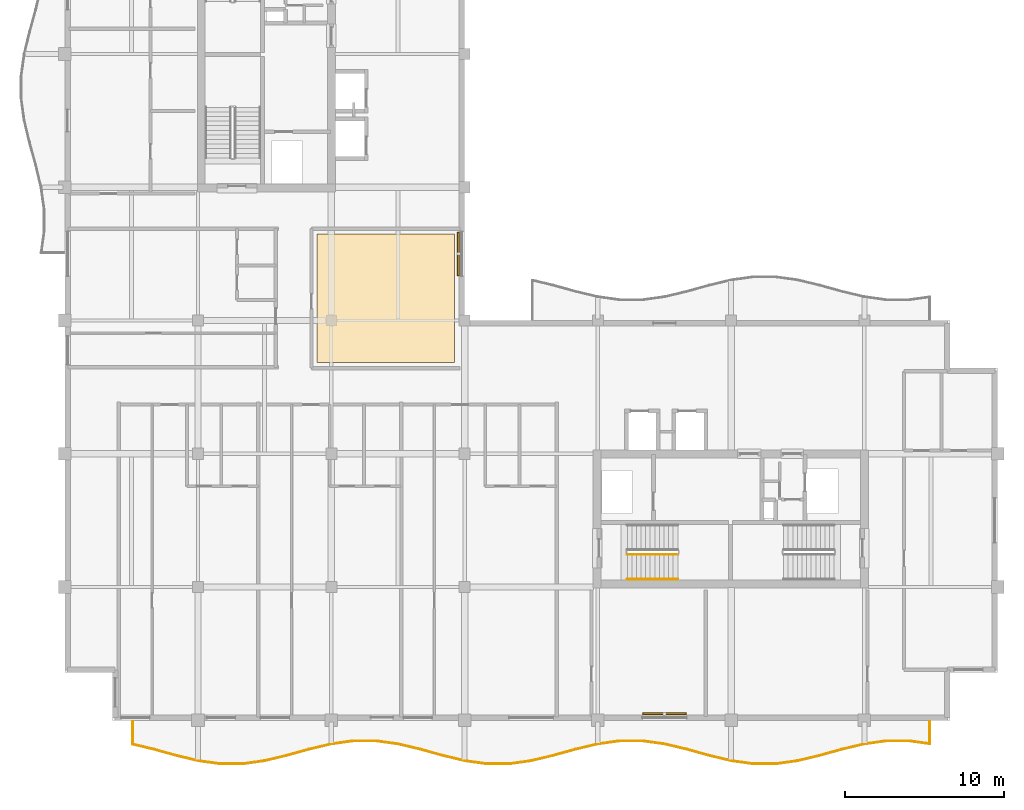
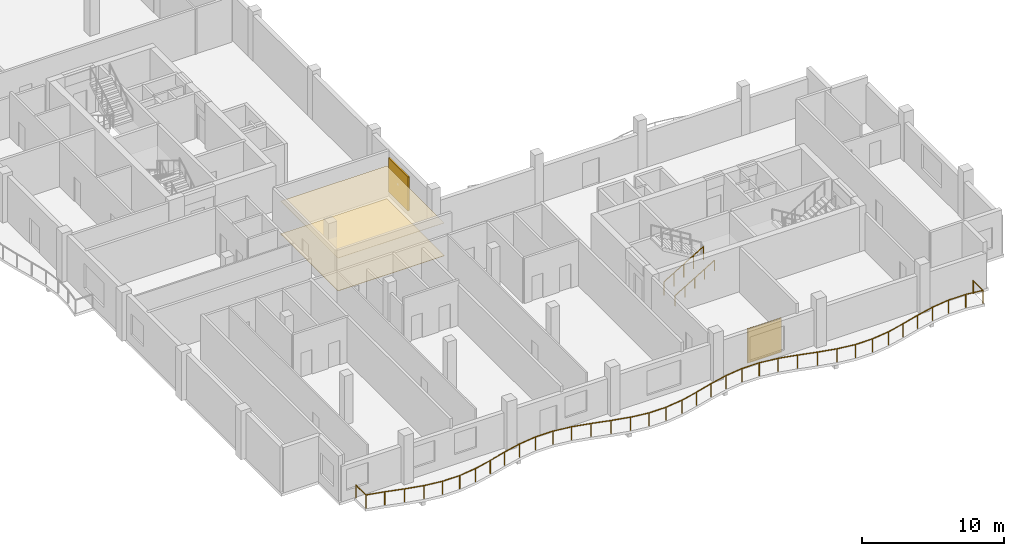
# One storey, part 9 of 11: 3 railings, 2 coverings, 2 shading devices.
"""IFC4 building model written with IfcOpenShell, lengths in metres."""

from ifc_helpers import new_model, si_unit, direction, frame, origin, origin_2d, place, context, subcontext, project, spatial, polyline, rectangle, circle, outline, extrude, material, layer, layer_set, type_object, element, save


model = new_model("IFC4")

# Units and contexts
model_context = context("Model", 3, precision=1e-05, world=origin(), true_north=direction((0.0, 1.0)))
body_context = subcontext(model_context, "Body", "Model", "MODEL_VIEW")
ifc_project = project(units=[si_unit("LENGTHUNIT", "METRE"), si_unit("AREAUNIT", "SQUARE_METRE"), si_unit("VOLUMEUNIT", "CUBIC_METRE"), si_unit("PLANEANGLEUNIT", "RADIAN"), si_unit("MASSUNIT", "GRAM", prefix="KILO")], contexts=[model_context])

# Site, building, storey
site_placement = place(None, origin())
site = spatial("IfcSite", under=ifc_project, at=site_placement, CompositionType="ELEMENT")
building_placement = place(site_placement, origin())
building = spatial("IfcBuilding", under=site, at=building_placement, Name="Koriwani Terraces Tower", CompositionType="ELEMENT")
storey_placement = place(building_placement, frame((0.0, 0.0, 359.60009765625)))
storey = spatial("IfcBuildingStorey", under=building, at=storey_placement, Name="L89", CompositionType="ELEMENT", Elevation=359.60009765625)

# Coverings
ifc_material_1 = material(Name="Fire-Rated Acoustic Gypsum Partition", Category="masonry")
ifc_layer_1 = layer(ifc_material_1, 0.02490234375, Name="Fire-Rated Acoustic Gypsum Partition")
ifc_layer_set_1 = layer_set([ifc_layer_1], Name="Fire-Rated Acoustic Gypsum Partition")
covering_type_1 = type_object("IfcCoveringType", Name="CEILING_ACOUSTIC_GYPSUM", PredefinedType="CEILING", material=ifc_layer_set_1)
covering_1_placement = place(storey_placement, frame((0.0, 0.0, 2.824951171875)))
element("IfcCovering", 1, at=covering_1_placement, inside=storey, type_object=covering_type_1, Name="L89 Suspended Acoustic Gypsum Ceiling", PredefinedType="CEILING", context=body_context, shape_type="SweptSolid", body=[
    extrude(outline(polyline([(24.300048828125, 30.949951171875), (24.300048828125, 39.050048828125), (32.949951171875, 39.050048828125), (32.949951171875, 30.949951171875), (24.300048828125, 30.949951171875)])), origin(), (0.0, 0.0, 1.0), 0.02490234375),
])
ifc_material_2 = material(Name="Polished Andean Slate Flooring", Category="masonry")
ifc_layer_2 = layer(ifc_material_2, 0.030029296875, Name="Polished Andean Slate Flooring")
ifc_layer_set_2 = layer_set([ifc_layer_2], Name="Polished Andean Slate Flooring")
covering_type_2 = type_object("IfcCoveringType", Name="FLOORING_ANDEAN_STONE", PredefinedType="FLOORING", material=ifc_layer_set_2)
covering_2_placement = place(storey_placement, origin())
element("IfcCovering", 2, at=covering_2_placement, inside=storey, type_object=covering_type_2, Name="L89 Polished Andean Slate Floor Finish", PredefinedType="FLOORING", context=body_context, shape_type="SweptSolid", body=[
    extrude(outline(polyline([(24.300048828125, 30.949951171875), (24.300048828125, 39.050048828125), (32.949951171875, 39.050048828125), (32.949951171875, 30.949951171875), (24.300048828125, 30.949951171875)])), origin(), (0.0, 0.0, 1.0), 0.02978515625),
])

# Railings
ifc_material_3 = material(Name="Steel ASTM A572 Grade 50", Category="steel")
railing_type_1 = type_object("IfcRailingType", Name="GUARD_BALUSTRADE_1150", PredefinedType="BALUSTRADE", material=ifc_material_3)
railing_1_placement = place(storey_placement, frame((12.679931640625, 8.320068359375, 0.0)))
element("IfcRailing", 3, at=railing_1_placement, inside=storey, type_object=railing_type_1, Name="L89 Balcony Perimeter Safety Balustrade (S)", PredefinedType="BALUSTRADE", context=body_context, shape_type="SweptSolid", body=[
    extrude(circle(Radius=0.02392578125, at=origin_2d()), frame((0.0, 0.0, 1.1259765625), z_axis=(0.0, -1.0, 0.0), x_axis=(1.0, 0.0, 0.0)), (0.0, 0.0, 1.0), 1.4267578125),
    extrude(circle(Radius=0.02392578125, at=origin_2d()), frame((0.0, -1.4267578125, 1.1259765625), z_axis=(0.972361568172, -0.233480150638, 0.0), x_axis=(0.233480150638, 0.972361568172, 0.0)), (0.0, 0.0, 1.0), 1.378173828125),
    extrude(circle(Radius=0.02392578125, at=origin_2d()), frame((1.340087890625, -1.74853515625, 1.1259765625), z_axis=(0.963638196753, -0.267210452187, 0.0), x_axis=(0.267210452187, 0.963638196753, 0.0)), (0.0, 0.0, 1.0), 1.45263671875),
    extrude(circle(Radius=0.02392578125, at=origin_2d()), frame((2.739990234375, -2.13671875, 1.1259765625), z_axis=(0.972362581689, -0.23347592966, 0.0), x_axis=(0.23347592966, 0.972362581689, 0.0)), (0.0, 0.0, 1.0), 1.4345703125),
    extrude(circle(Radius=0.02392578125, at=origin_2d()), frame((4.135009765625, -2.4716796875, 1.1259765625), z_axis=(0.990518583157, -0.137378806302, 0.0), x_axis=(0.137378806302, 0.990518583157, 0.0)), (0.0, 0.0, 1.0), 1.404052734375),
    extrude(circle(Radius=0.02392578125, at=origin_2d()), frame((5.525634765625, -2.66455078125, 1.1259765625), z_axis=(1.0, 0.0, 0.0), x_axis=(0.0, 1.0, 0.0)), (0.0, 0.0, 1.0), 1.388916015625),
    extrude(circle(Radius=0.02392578125, at=origin_2d()), frame((6.91455078125, -2.66455078125, 1.1259765625), z_axis=(0.990518583157, 0.137378806302, 0.0), x_axis=(-0.137378806302, 0.990518583157, 0.0)), (0.0, 0.0, 1.0), 1.404052734375),
    extrude(circle(Radius=0.02392578125, at=origin_2d()), frame((8.30517578125, -2.4716796875, 1.1259765625), z_axis=(0.972353303141, 0.233514568862, 0.0), x_axis=(-0.233514568862, 0.972353303141, 0.0)), (0.0, 0.0, 1.0), 1.434326171875),
    extrude(circle(Radius=0.02392578125, at=origin_2d()), frame((9.699951171875, -2.13671875, 1.1259765625), z_axis=(0.963650193341, 0.26716718525, 0.0), x_axis=(-0.26716718525, 0.963650193341, 0.0)), (0.0, 0.0, 1.0), 1.452880859375),
    extrude(circle(Radius=0.02392578125, at=origin_2d()), frame((11.10009765625, -1.74853515625, 1.1259765625), z_axis=(0.972404167631, 0.233302667738, 0.0), x_axis=(-0.233302667738, 0.972404167631, 0.0)), (0.0, 0.0, 1.0), 1.445068359375),
    extrude(circle(Radius=0.02392578125, at=origin_2d()), frame((12.50537109375, -1.411376953125, 1.1259765625), z_axis=(0.990531206111, 0.137287762455, 0.0), x_axis=(-0.137287762455, 0.990531206111, 0.0)), (0.0, 0.0, 1.0), 1.422607421875),
    extrude(circle(Radius=0.02392578125, at=origin_2d()), frame((13.91455078125, -1.216064453125, 1.1259765625), z_axis=(1.0, 0.0, 0.0), x_axis=(0.0, 1.0, 0.0)), (0.0, 0.0, 1.0), 1.4111328125),
    extrude(circle(Radius=0.02392578125, at=origin_2d()), frame((15.32568359375, -1.216064453125, 1.1259765625), z_axis=(0.990531206111, -0.137287762455, 0.0), x_axis=(0.137287762455, 0.990531206111, 0.0)), (0.0, 0.0, 1.0), 1.422607421875),
    extrude(circle(Radius=0.02392578125, at=origin_2d()), frame((16.73486328125, -1.411376953125, 1.1259765625), z_axis=(0.972404167631, -0.233302667738, 0.0), x_axis=(0.233302667738, 0.972404167631, 0.0)), (0.0, 0.0, 1.0), 1.445068359375),
    extrude(circle(Radius=0.02392578125, at=origin_2d()), frame((18.14013671875, -1.74853515625, 1.1259765625), z_axis=(0.963638196753, -0.267210452187, 0.0), x_axis=(0.267210452187, 0.963638196753, 0.0)), (0.0, 0.0, 1.0), 1.45263671875),
    extrude(circle(Radius=0.02392578125, at=origin_2d()), frame((19.5400390625, -2.13671875, 1.1259765625), z_axis=(0.972362581689, -0.23347592966, 0.0), x_axis=(0.23347592966, 0.972362581689, 0.0)), (0.0, 0.0, 1.0), 1.4345703125),
    extrude(circle(Radius=0.02392578125, at=origin_2d()), frame((20.93505859375, -2.4716796875, 1.1259765625), z_axis=(0.990518583157, -0.137378806302, 0.0), x_axis=(0.137378806302, 0.990518583157, 0.0)), (0.0, 0.0, 1.0), 1.404052734375),
    extrude(circle(Radius=0.02392578125, at=origin_2d()), frame((22.32568359375, -2.66455078125, 1.1259765625), z_axis=(1.0, 0.0, 0.0), x_axis=(0.0, 1.0, 0.0)), (0.0, 0.0, 1.0), 1.388916015625),
    extrude(circle(Radius=0.02392578125, at=origin_2d()), frame((23.714599609375, -2.66455078125, 1.1259765625), z_axis=(0.990518583157, 0.137378806302, 0.0), x_axis=(-0.137378806302, 0.990518583157, 0.0)), (0.0, 0.0, 1.0), 1.404052734375),
    extrude(circle(Radius=0.02392578125, at=origin_2d()), frame((25.105224609375, -2.4716796875, 1.1259765625), z_axis=(0.972353303141, 0.233514568862, 0.0), x_axis=(-0.233514568862, 0.972353303141, 0.0)), (0.0, 0.0, 1.0), 1.434326171875),
    extrude(circle(Radius=0.02392578125, at=origin_2d()), frame((26.5, -2.13671875, 1.1259765625), z_axis=(0.963650193341, 0.26716718525, 0.0), x_axis=(-0.26716718525, 0.963650193341, 0.0)), (0.0, 0.0, 1.0), 1.452880859375),
    extrude(circle(Radius=0.02392578125, at=origin_2d()), frame((27.900146484375, -1.74853515625, 1.1259765625), z_axis=(0.972394970075, 0.233340999769, 0.0), x_axis=(-0.233340999769, 0.972394970075, 0.0)), (0.0, 0.0, 1.0), 1.44482421875),
    extrude(circle(Radius=0.02392578125, at=origin_2d()), frame((29.30517578125, -1.411376953125, 1.1259765625), z_axis=(0.990534439774, 0.137264429555, 0.0), x_axis=(-0.137264429555, 0.990534439774, 0.0)), (0.0, 0.0, 1.0), 1.4228515625),
    extrude(circle(Radius=0.02392578125, at=origin_2d()), frame((30.714599609375, -1.216064453125, 1.1259765625), z_axis=(1.0, 0.0, 0.0), x_axis=(0.0, 1.0, 0.0)), (0.0, 0.0, 1.0), 1.410888671875),
    extrude(circle(Radius=0.02392578125, at=origin_2d()), frame((32.12548828125, -1.216064453125, 1.1259765625), z_axis=(0.990534439774, -0.137264429555, 0.0), x_axis=(0.137264429555, 0.990534439774, 0.0)), (0.0, 0.0, 1.0), 1.4228515625),
    extrude(circle(Radius=0.02392578125, at=origin_2d()), frame((33.534912109375, -1.411376953125, 1.1259765625), z_axis=(0.972404167631, -0.233302667738, 0.0), x_axis=(0.233302667738, 0.972404167631, 0.0)), (0.0, 0.0, 1.0), 1.445068359375),
    extrude(circle(Radius=0.02392578125, at=origin_2d()), frame((34.940185546875, -1.74853515625, 1.1259765625), z_axis=(0.963638196753, -0.267210452187, 0.0), x_axis=(0.267210452187, 0.963638196753, 0.0)), (0.0, 0.0, 1.0), 1.45263671875),
    extrude(circle(Radius=0.02392578125, at=origin_2d()), frame((36.340087890625, -2.13671875, 1.1259765625), z_axis=(0.972353303141, -0.233514568862, 0.0), x_axis=(0.233514568862, 0.972353303141, 0.0)), (0.0, 0.0, 1.0), 1.434326171875),
    extrude(circle(Radius=0.02392578125, at=origin_2d()), frame((37.73486328125, -2.4716796875, 1.1259765625), z_axis=(0.990518583157, -0.137378806302, 0.0), x_axis=(0.137378806302, 0.990518583157, 0.0)), (0.0, 0.0, 1.0), 1.404052734375),
    extrude(circle(Radius=0.02392578125, at=origin_2d()), frame((39.12548828125, -2.66455078125, 1.1259765625), z_axis=(1.0, 0.0, 0.0), x_axis=(0.0, 1.0, 0.0)), (0.0, 0.0, 1.0), 1.38916015625),
    extrude(circle(Radius=0.02392578125, at=origin_2d()), frame((40.5146484375, -2.66455078125, 1.1259765625), z_axis=(0.990518583157, 0.137378806302, 0.0), x_axis=(-0.137378806302, 0.990518583157, 0.0)), (0.0, 0.0, 1.0), 1.404052734375),
    extrude(circle(Radius=0.02392578125, at=origin_2d()), frame((41.9052734375, -2.4716796875, 1.1259765625), z_axis=(0.972353303141, 0.233514568862, 0.0), x_axis=(-0.233514568862, 0.972353303141, 0.0)), (0.0, 0.0, 1.0), 1.434326171875),
    extrude(circle(Radius=0.02392578125, at=origin_2d()), frame((43.300048828125, -2.13671875, 1.1259765625), z_axis=(0.963638196753, 0.267210452187, 0.0), x_axis=(-0.267210452187, 0.963638196753, 0.0)), (0.0, 0.0, 1.0), 1.45263671875),
    extrude(circle(Radius=0.02392578125, at=origin_2d()), frame((44.699951171875, -1.74853515625, 1.1259765625), z_axis=(0.972404167631, 0.233302667738, 0.0), x_axis=(-0.233302667738, 0.972404167631, 0.0)), (0.0, 0.0, 1.0), 1.445068359375),
    extrude(circle(Radius=0.02392578125, at=origin_2d()), frame((46.105224609375, -1.411376953125, 1.1259765625), z_axis=(0.990534439774, 0.137264429555, 0.0), x_axis=(-0.137264429555, 0.990534439774, 0.0)), (0.0, 0.0, 1.0), 1.4228515625),
    extrude(circle(Radius=0.02392578125, at=origin_2d()), frame((47.5146484375, -1.216064453125, 1.1259765625), z_axis=(1.0, 0.0, 0.0), x_axis=(0.0, 1.0, 0.0)), (0.0, 0.0, 1.0), 1.410888671875),
    extrude(circle(Radius=0.02392578125, at=origin_2d()), frame((48.925537109375, -1.216064453125, 1.1259765625), z_axis=(0.99056178386, -0.137066963034, 0.0), x_axis=(0.137066963034, 0.99056178386, 0.0)), (0.0, 0.0, 1.0), 1.326904296875),
    extrude(circle(Radius=0.02392578125, at=origin_2d()), frame((50.239990234375, -1.39794921875, 1.1259765625), z_axis=(0.0, 1.0, 0.0), x_axis=(-1.0, 0.0, 0.0)), (0.0, 0.0, 1.0), 1.39794921875),
    extrude(circle(Radius=0.02099609375, at=origin_2d()), origin(), (0.0, 0.0, 1.0), 1.101806640625),
    extrude(circle(Radius=0.02099609375, at=origin_2d()), frame((0.0, -1.4267578125, 0.0)), (0.0, 0.0, 1.0), 1.101806640625),
    extrude(circle(Radius=0.02099609375, at=origin_2d()), frame((1.340087890625, -1.74853515625, 0.0)), (0.0, 0.0, 1.0), 1.101806640625),
    extrude(circle(Radius=0.02099609375, at=origin_2d()), frame((2.739990234375, -2.13671875, 0.0)), (0.0, 0.0, 1.0), 1.101806640625),
    extrude(circle(Radius=0.02099609375, at=origin_2d()), frame((4.135009765625, -2.4716796875, 0.0)), (0.0, 0.0, 1.0), 1.101806640625),
    extrude(circle(Radius=0.02099609375, at=origin_2d()), frame((5.525634765625, -2.66455078125, 0.0)), (0.0, 0.0, 1.0), 1.101806640625),
    extrude(circle(Radius=0.02099609375, at=origin_2d()), frame((6.91455078125, -2.66455078125, 0.0)), (0.0, 0.0, 1.0), 1.101806640625),
    extrude(circle(Radius=0.02099609375, at=origin_2d()), frame((8.30517578125, -2.4716796875, 0.0)), (0.0, 0.0, 1.0), 1.101806640625),
    extrude(circle(Radius=0.02099609375, at=origin_2d()), frame((9.699951171875, -2.13671875, 0.0)), (0.0, 0.0, 1.0), 1.101806640625),
    extrude(circle(Radius=0.02099609375, at=origin_2d()), frame((11.10009765625, -1.74853515625, 0.0)), (0.0, 0.0, 1.0), 1.101806640625),
    extrude(circle(Radius=0.02099609375, at=origin_2d()), frame((12.50537109375, -1.411376953125, 0.0)), (0.0, 0.0, 1.0), 1.101806640625),
    extrude(circle(Radius=0.02099609375, at=origin_2d()), frame((13.91455078125, -1.216064453125, 0.0)), (0.0, 0.0, 1.0), 1.101806640625),
    extrude(circle(Radius=0.02099609375, at=origin_2d()), frame((15.32568359375, -1.216064453125, 0.0)), (0.0, 0.0, 1.0), 1.101806640625),
    extrude(circle(Radius=0.02099609375, at=origin_2d()), frame((16.73486328125, -1.411376953125, 0.0)), (0.0, 0.0, 1.0), 1.101806640625),
    extrude(circle(Radius=0.02099609375, at=origin_2d()), frame((18.14013671875, -1.74853515625, 0.0)), (0.0, 0.0, 1.0), 1.101806640625),
    extrude(circle(Radius=0.02099609375, at=origin_2d()), frame((19.5400390625, -2.13671875, 0.0)), (0.0, 0.0, 1.0), 1.101806640625),
    extrude(circle(Radius=0.02099609375, at=origin_2d()), frame((20.93505859375, -2.4716796875, 0.0)), (0.0, 0.0, 1.0), 1.101806640625),
    extrude(circle(Radius=0.02099609375, at=origin_2d()), frame((22.32568359375, -2.66455078125, 0.0)), (0.0, 0.0, 1.0), 1.101806640625),
    extrude(circle(Radius=0.02099609375, at=origin_2d()), frame((23.714599609375, -2.66455078125, 0.0)), (0.0, 0.0, 1.0), 1.101806640625),
    extrude(circle(Radius=0.02099609375, at=origin_2d()), frame((25.105224609375, -2.4716796875, 0.0)), (0.0, 0.0, 1.0), 1.101806640625),
    extrude(circle(Radius=0.02099609375, at=origin_2d()), frame((26.5, -2.13671875, 0.0)), (0.0, 0.0, 1.0), 1.101806640625),
    extrude(circle(Radius=0.02099609375, at=origin_2d()), frame((27.900146484375, -1.74853515625, 0.0)), (0.0, 0.0, 1.0), 1.101806640625),
    extrude(circle(Radius=0.02099609375, at=origin_2d()), frame((29.30517578125, -1.411376953125, 0.0)), (0.0, 0.0, 1.0), 1.101806640625),
    extrude(circle(Radius=0.02099609375, at=origin_2d()), frame((30.714599609375, -1.216064453125, 0.0)), (0.0, 0.0, 1.0), 1.101806640625),
    extrude(circle(Radius=0.02099609375, at=origin_2d()), frame((32.12548828125, -1.216064453125, 0.0)), (0.0, 0.0, 1.0), 1.101806640625),
    extrude(circle(Radius=0.02099609375, at=origin_2d()), frame((33.534912109375, -1.411376953125, 0.0)), (0.0, 0.0, 1.0), 1.101806640625),
    extrude(circle(Radius=0.02099609375, at=origin_2d()), frame((34.940185546875, -1.74853515625, 0.0)), (0.0, 0.0, 1.0), 1.101806640625),
    extrude(circle(Radius=0.02099609375, at=origin_2d()), frame((36.340087890625, -2.13671875, 0.0)), (0.0, 0.0, 1.0), 1.101806640625),
    extrude(circle(Radius=0.02099609375, at=origin_2d()), frame((37.73486328125, -2.4716796875, 0.0)), (0.0, 0.0, 1.0), 1.101806640625),
    extrude(circle(Radius=0.02099609375, at=origin_2d()), frame((39.12548828125, -2.66455078125, 0.0)), (0.0, 0.0, 1.0), 1.101806640625),
    extrude(circle(Radius=0.02099609375, at=origin_2d()), frame((40.5146484375, -2.66455078125, 0.0)), (0.0, 0.0, 1.0), 1.101806640625),
    extrude(circle(Radius=0.02099609375, at=origin_2d()), frame((41.9052734375, -2.4716796875, 0.0)), (0.0, 0.0, 1.0), 1.101806640625),
    extrude(circle(Radius=0.02099609375, at=origin_2d()), frame((43.300048828125, -2.13671875, 0.0)), (0.0, 0.0, 1.0), 1.101806640625),
    extrude(circle(Radius=0.02099609375, at=origin_2d()), frame((44.699951171875, -1.74853515625, 0.0)), (0.0, 0.0, 1.0), 1.101806640625),
    extrude(circle(Radius=0.02099609375, at=origin_2d()), frame((46.105224609375, -1.411376953125, 0.0)), (0.0, 0.0, 1.0), 1.101806640625),
    extrude(circle(Radius=0.02099609375, at=origin_2d()), frame((47.5146484375, -1.216064453125, 0.0)), (0.0, 0.0, 1.0), 1.101806640625),
    extrude(circle(Radius=0.02099609375, at=origin_2d()), frame((48.925537109375, -1.216064453125, 0.0)), (0.0, 0.0, 1.0), 1.101806640625),
    extrude(circle(Radius=0.02099609375, at=origin_2d()), frame((50.239990234375, -1.39794921875, 0.0)), (0.0, 0.0, 1.0), 1.101806640625),
    extrude(circle(Radius=0.02099609375, at=origin_2d()), frame((50.239990234375, 0.0, 0.0)), (0.0, 0.0, 1.0), 1.101806640625),
])
railing_type_2 = type_object("IfcRailingType", Name="GUARD_STAIR_WELL_1120", PredefinedType="GUARDRAIL", material=ifc_material_3)
railing_2_placement = place(storey_placement, frame((43.85009765625, 18.85009765625, 0.1748046875)))
element("IfcRailing", 4, at=railing_2_placement, inside=storey, type_object=railing_type_2, Name="L89 ST-E1 stair guard 1", PredefinedType="GUARDRAIL", context=body_context, shape_type="SweptSolid", body=[
    extrude(circle(Radius=0.02392578125, at=origin_2d()), frame((0.0, 0.0, 1.1259765625), z_axis=(0.856177665481, 0.0, 0.516681531633), x_axis=(0.0, 1.0, 0.0)), (0.0, 0.0, 1.0), 3.725830078125),
    extrude(circle(Radius=0.02099609375, at=origin_2d()), origin(), (0.0, 0.0, 1.0), 1.101806640625),
    extrude(circle(Radius=0.02099609375, at=origin_2d()), frame((0.79736328125, 0.0, 0.481201171875)), (0.0, 0.0, 1.0), 1.101806640625),
    extrude(circle(Radius=0.02099609375, at=origin_2d()), frame((1.594970703125, 0.0, 0.96240234375)), (0.0, 0.0, 1.0), 1.101806640625),
    extrude(circle(Radius=0.02099609375, at=origin_2d()), frame((2.392578125, 0.0, 1.44384765625)), (0.0, 0.0, 1.0), 1.101806640625),
    extrude(circle(Radius=0.02099609375, at=origin_2d()), frame((3.18994140625, 0.0, 1.925048828125)), (0.0, 0.0, 1.0), 1.101806640625),
])
railing_type_3 = type_object("IfcRailingType", Name="HANDRAIL_STAIR_920", PredefinedType="HANDRAIL", material=ifc_material_3)
railing_3_placement = place(storey_placement, frame((43.85009765625, 17.300048828125, 0.1748046875)))
element("IfcRailing", 5, at=railing_3_placement, inside=storey, type_object=railing_type_3, Name="L89 ST-E1 stair handrail 1", PredefinedType="HANDRAIL", context=body_context, shape_type="SweptSolid", body=[
    extrude(circle(Radius=0.02392578125, at=origin_2d()), frame((0.0, 0.0, 0.8759765625), z_axis=(0.856177665481, 0.0, 0.516681531633), x_axis=(0.0, 1.0, 0.0)), (0.0, 0.0, 1.0), 3.725830078125),
    extrude(circle(Radius=0.02099609375, at=origin_2d()), origin(), (0.0, 0.0, 1.0), 0.851806640625),
    extrude(circle(Radius=0.02099609375, at=origin_2d()), frame((0.79736328125, 0.0, 0.481201171875)), (0.0, 0.0, 1.0), 0.851806640625),
    extrude(circle(Radius=0.02099609375, at=origin_2d()), frame((1.594970703125, 0.0, 0.96240234375)), (0.0, 0.0, 1.0), 0.851806640625),
    extrude(circle(Radius=0.02099609375, at=origin_2d()), frame((2.392578125, 0.0, 1.44384765625)), (0.0, 0.0, 1.0), 0.851806640625),
    extrude(circle(Radius=0.02099609375, at=origin_2d()), frame((3.18994140625, 0.0, 1.925048828125)), (0.0, 0.0, 1.0), 0.851806640625),
])

# Shading devices
ifc_material_4 = material(Name="Extruded Terracotta Clay", Category="masonry")
ifc_layer_3 = layer(ifc_material_4, 0.1201171875, Name="Extruded Terracotta Clay")
ifc_layer_set_3 = layer_set([ifc_layer_3], Name="Extruded Terracotta Clay")
shading_device_type = type_object("IfcShadingDeviceType", Name="TERRACOTTA_BAGUETTE_SCREEN_2800", PredefinedType="USERDEFINED", material=ifc_layer_set_3)
for number, where, z_axis, x_axis, name in (
    (6, (33.195068359375, 37.800048828125, 0.5), (0.0, 0.0, 1.0), (0.0, -1.0, 0.0), "L89 Extruded Terracotta Baguette Screen (NW_IN-2)"),
    (7, (46.199951171875, 8.804931640625, 0.072509765625), (0.0, 0.0, 1.0), (-1.0, 0.0, 0.0), "L89 Extruded Terracotta Baguette Screen (S-12)"),
):
    element("IfcShadingDevice", number, at=place(storey_placement, frame(where, z_axis=z_axis, x_axis=x_axis)), inside=storey, type_object=shading_device_type, Name=name, ObjectType="BAGUETTE", PredefinedType="USERDEFINED", context=body_context, shape_type="SweptSolid", body=[
        extrude(rectangle(XDim=2.760009765625, YDim=0.1201171875, at=origin_2d()), origin(), (0.0, 0.0, 1.0), 2.89990234375),
    ])

save(model, "model.ifc")
